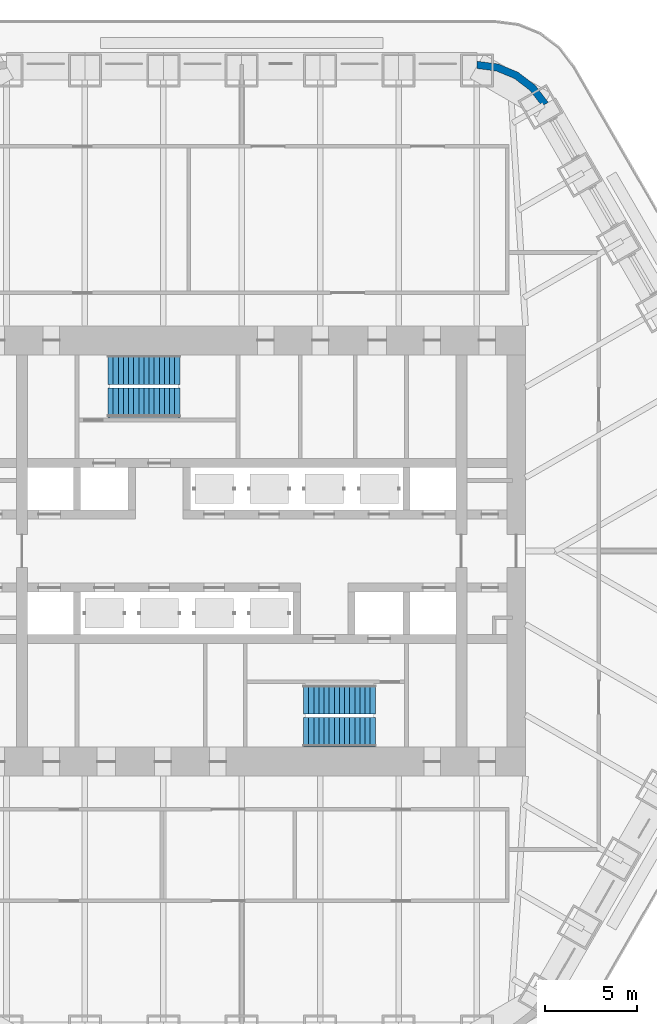
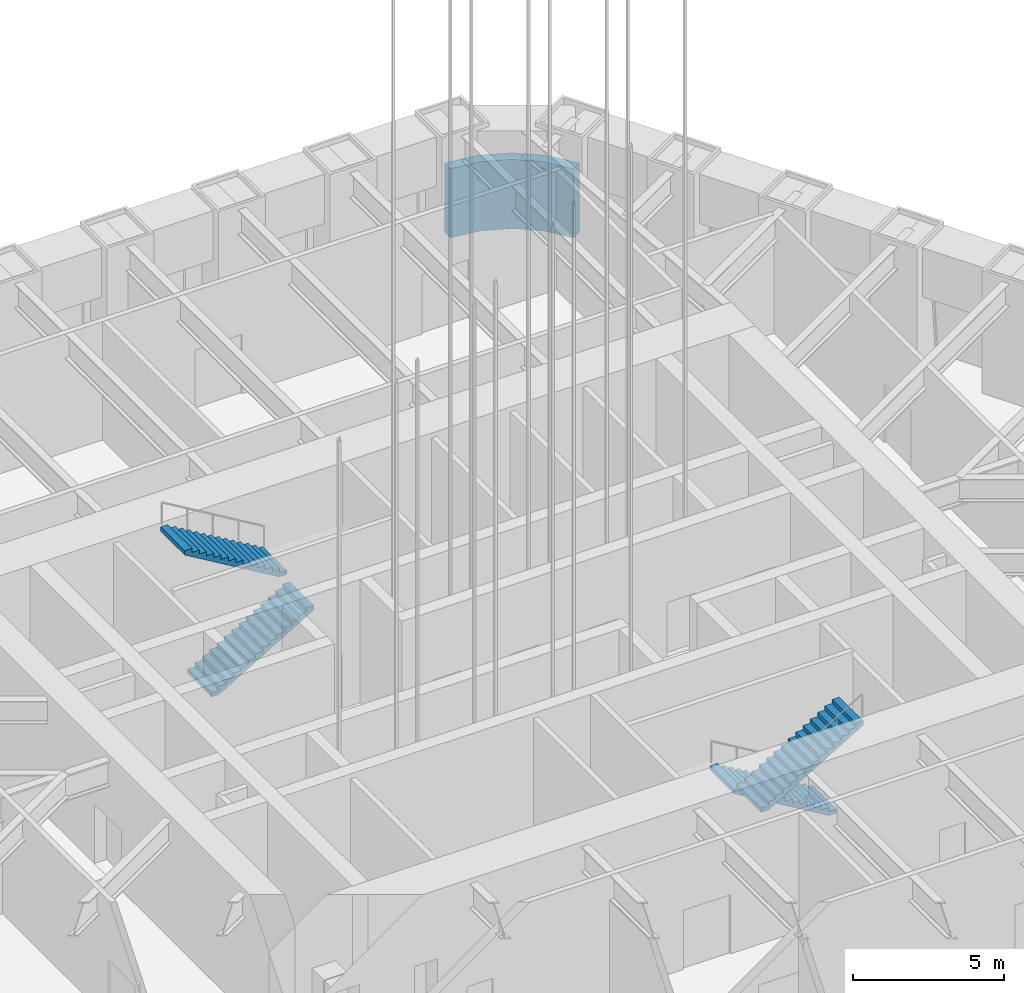
# One storey, part 11 of 14: 4 stair flights, 1 wall, 2 elements without a shape of their own.
"""IFC4 building model written with IfcOpenShell, lengths in metres."""

from ifc_helpers import new_model, si_unit, direction, frame, origin, place, context, subcontext, project, spatial, polyline, outline, extrude, material, layer, layer_set, type_object, element, aggregate, save


model = new_model("IFC4")

# Units and contexts
model_context = context("Model", 3, precision=1e-05, world=origin(), true_north=direction((0.0, 1.0)))
body_context = subcontext(model_context, "Body", "Model", "MODEL_VIEW")
ifc_project = project(units=[si_unit("LENGTHUNIT", "METRE"), si_unit("AREAUNIT", "SQUARE_METRE"), si_unit("VOLUMEUNIT", "CUBIC_METRE"), si_unit("PLANEANGLEUNIT", "RADIAN"), si_unit("MASSUNIT", "GRAM", prefix="KILO")], contexts=[model_context])

# Site, building, storey
site_placement = place(None, origin())
site = spatial("IfcSite", under=ifc_project, at=site_placement, CompositionType="ELEMENT")
building_placement = place(site_placement, origin())
building = spatial("IfcBuilding", under=site, at=building_placement, Name="Tarfa Lantern Tower", CompositionType="ELEMENT")
storey_placement = place(building_placement, frame((0.0, 0.0, 306.5)))
storey = spatial("IfcBuildingStorey", under=building, at=storey_placement, Name="L69", CompositionType="ELEMENT", Elevation=306.5)

# Wall
ifc_material_1 = material(Name="Limestone cladding on blockwork", Category="masonry")
ifc_layer = layer(ifc_material_1, 0.39990234375)
ifc_layer_set = layer_set([ifc_layer], Name="EW2 CURVED STONE CORNER 400")
wall_type = type_object("IfcWallType", Name="EW2 CURVED STONE CORNER 400", PredefinedType="SOLIDWALL", material=ifc_layer_set)
wall_placement = place(storey_placement, origin())
element("IfcWall", 1, at=wall_placement, inside=storey, type_object=wall_type, Name="Stone corner NE-N", PredefinedType="SOLIDWALL", context=body_context, shape_type="SweptSolid", body=[
    extrude(outline(polyline([(16.7431640625, 24.5), (16.028076171875, 25.431884765625), (15.095947265625, 26.147216796875), (14.0107421875, 26.5966796875), (12.845947265625, 26.75), (12.845947265625, 26.35009765625), (13.9072265625, 26.210205078125), (14.89599609375, 25.80078125), (15.7451171875, 25.149169921875), (16.396728515625, 24.300048828125), (16.7431640625, 24.5)])), origin(), (0.0, 0.0, 1.0), 2.800048828125),
])

# Stair, stair flights
ifc_material_2 = material(Name="Concrete C40/50", Category="concrete")
stair_type = type_object("IfcStairType", Name="ST-T9 HALF-TURN STAIR 5000 RISE", PredefinedType="HALF_TURN_STAIR", material=ifc_material_2)
stair_1_placement = place(storey_placement, origin())
stair_1 = element("IfcStair", 2, at=stair_1_placement, inside=storey, type_object=stair_type, Name="Stair ST1", PredefinedType="HALF_TURN_STAIR")
stair_flight_type = type_object("IfcStairFlightType", Name="SF1 STAIR FLIGHT", PredefinedType="STRAIGHT", material=ifc_material_2)
stair_flight_1_placement = place(storey_placement, frame((-7.300048828125, 8.10009765625, 0.0), z_axis=(0.0, 0.0, 1.0), x_axis=(1.0, 0.0, 0.0)))
stair_flight_1 = element("IfcStairFlight", 3, at=stair_flight_1_placement, type_object=stair_flight_type, Name="ST1 flight 1", NumberOfRisers=15, NumberOfTreads=14, PredefinedType="STRAIGHT", RiserHeight=0.166666667, TreadLength=0.28, context=body_context, shape_type="SweptSolid", body=[
    extrude(outline(polyline([(0.0, 0.0), (0.0, 0.166748046875), (0.280029296875, 0.166748046875), (0.280029296875, 0.333251953125), (0.56005859375, 0.333251953125), (0.56005859375, 0.5), (0.840087890625, 0.5), (0.840087890625, 0.666748046875), (1.1201171875, 0.666748046875), (1.1201171875, 0.833251953125), (1.39990234375, 0.833251953125), (1.39990234375, 1.0), (1.679931640625, 1.0), (1.679931640625, 1.166748046875), (1.9599609375, 1.166748046875), (1.9599609375, 1.333251953125), (2.239990234375, 1.333251953125), (2.239990234375, 1.5), (2.52001953125, 1.5), (2.52001953125, 1.666748046875), (2.800048828125, 1.666748046875), (2.800048828125, 1.833251953125), (3.080078125, 1.833251953125), (3.080078125, 2.0), (3.360107421875, 2.0), (3.360107421875, 2.166748046875), (3.639892578125, 2.166748046875), (3.639892578125, 2.333251953125), (3.919921875, 2.333251953125), (3.919921875, 2.5), (3.919921875, 2.158935546875), (0.29296875, 0.0), (0.0, 0.0)])), frame((0.0, 0.800048828125, 0.0), z_axis=(0.0, -1.0, 0.0), x_axis=(1.0, 0.0, 0.0)), (0.0, 0.0, 1.0), 1.60009765625),
])
stair_flight_2_placement = place(storey_placement, frame((-3.3798828125, 9.89990234375, 2.5), z_axis=(0.0, 0.0, 1.0), x_axis=(-1.0, 0.0, 0.0)))
stair_flight_2 = element("IfcStairFlight", 4, at=stair_flight_2_placement, type_object=stair_flight_type, Name="ST1 flight 2", NumberOfRisers=15, NumberOfTreads=14, PredefinedType="STRAIGHT", RiserHeight=0.166666667, TreadLength=0.28, context=body_context, shape_type="SweptSolid", body=[
    extrude(outline(polyline([(0.0, 0.0), (0.0, 0.166748046875), (0.280029296875, 0.166748046875), (0.280029296875, 0.333251953125), (0.56005859375, 0.333251953125), (0.56005859375, 0.5), (0.840087890625, 0.5), (0.840087890625, 0.666748046875), (1.1201171875, 0.666748046875), (1.1201171875, 0.833251953125), (1.39990234375, 0.833251953125), (1.39990234375, 1.0), (1.679931640625, 1.0), (1.679931640625, 1.166748046875), (1.9599609375, 1.166748046875), (1.9599609375, 1.333251953125), (2.239990234375, 1.333251953125), (2.239990234375, 1.5), (2.52001953125, 1.5), (2.52001953125, 1.666748046875), (2.800048828125, 1.666748046875), (2.800048828125, 1.833251953125), (3.080078125, 1.833251953125), (3.080078125, 2.0), (3.360107421875, 2.0), (3.360107421875, 2.166748046875), (3.639892578125, 2.166748046875), (3.639892578125, 2.333251953125), (3.919921875, 2.333251953125), (3.919921875, 2.5), (3.919921875, 2.158935546875), (0.29296875, 0.0), (0.0, 0.0)])), frame((0.0, 0.800048828125, 0.0), z_axis=(0.0, -1.0, 0.0), x_axis=(1.0, 0.0, 0.0)), (0.0, 0.0, 1.0), 1.60009765625),
])
aggregate(stair_1, [stair_flight_1, stair_flight_2])

stair_2_placement = place(storey_placement, origin())
stair_2 = element("IfcStair", 5, at=stair_2_placement, inside=storey, type_object=stair_type, Name="Stair ST2", PredefinedType="HALF_TURN_STAIR")
stair_flight_3_placement = place(storey_placement, frame((7.300048828125, -8.10009765625, 0.0), z_axis=(0.0, 0.0, 1.0), x_axis=(-1.0, 0.0, 0.0)))
stair_flight_3 = element("IfcStairFlight", 6, at=stair_flight_3_placement, type_object=stair_flight_type, Name="ST2 flight 1", NumberOfRisers=15, NumberOfTreads=14, PredefinedType="STRAIGHT", RiserHeight=0.166666667, TreadLength=0.28, context=body_context, shape_type="SweptSolid", body=[
    extrude(outline(polyline([(0.0, 0.0), (0.0, 0.166748046875), (0.280029296875, 0.166748046875), (0.280029296875, 0.333251953125), (0.56005859375, 0.333251953125), (0.56005859375, 0.5), (0.840087890625, 0.5), (0.840087890625, 0.666748046875), (1.1201171875, 0.666748046875), (1.1201171875, 0.833251953125), (1.39990234375, 0.833251953125), (1.39990234375, 1.0), (1.679931640625, 1.0), (1.679931640625, 1.166748046875), (1.9599609375, 1.166748046875), (1.9599609375, 1.333251953125), (2.239990234375, 1.333251953125), (2.239990234375, 1.5), (2.52001953125, 1.5), (2.52001953125, 1.666748046875), (2.800048828125, 1.666748046875), (2.800048828125, 1.833251953125), (3.080078125, 1.833251953125), (3.080078125, 2.0), (3.360107421875, 2.0), (3.360107421875, 2.166748046875), (3.639892578125, 2.166748046875), (3.639892578125, 2.333251953125), (3.919921875, 2.333251953125), (3.919921875, 2.5), (3.919921875, 2.158935546875), (0.29296875, 0.0), (0.0, 0.0)])), frame((0.0, 0.800048828125, 0.0), z_axis=(0.0, -1.0, 0.0), x_axis=(1.0, 0.0, 0.0)), (0.0, 0.0, 1.0), 1.60009765625),
])
stair_flight_4_placement = place(storey_placement, frame((3.3798828125, -9.89990234375, 2.5), z_axis=(0.0, 0.0, 1.0), x_axis=(1.0, 0.0, 0.0)))
stair_flight_4 = element("IfcStairFlight", 7, at=stair_flight_4_placement, type_object=stair_flight_type, Name="ST2 flight 2", NumberOfRisers=15, NumberOfTreads=14, PredefinedType="STRAIGHT", RiserHeight=0.166666667, TreadLength=0.28, context=body_context, shape_type="SweptSolid", body=[
    extrude(outline(polyline([(0.0, 0.0), (0.0, 0.166748046875), (0.280029296875, 0.166748046875), (0.280029296875, 0.333251953125), (0.56005859375, 0.333251953125), (0.56005859375, 0.5), (0.840087890625, 0.5), (0.840087890625, 0.666748046875), (1.1201171875, 0.666748046875), (1.1201171875, 0.833251953125), (1.39990234375, 0.833251953125), (1.39990234375, 1.0), (1.679931640625, 1.0), (1.679931640625, 1.166748046875), (1.9599609375, 1.166748046875), (1.9599609375, 1.333251953125), (2.239990234375, 1.333251953125), (2.239990234375, 1.5), (2.52001953125, 1.5), (2.52001953125, 1.666748046875), (2.800048828125, 1.666748046875), (2.800048828125, 1.833251953125), (3.080078125, 1.833251953125), (3.080078125, 2.0), (3.360107421875, 2.0), (3.360107421875, 2.166748046875), (3.639892578125, 2.166748046875), (3.639892578125, 2.333251953125), (3.919921875, 2.333251953125), (3.919921875, 2.5), (3.919921875, 2.158935546875), (0.29296875, 0.0), (0.0, 0.0)])), frame((0.0, 0.800048828125, 0.0), z_axis=(0.0, -1.0, 0.0), x_axis=(1.0, 0.0, 0.0)), (0.0, 0.0, 1.0), 1.60009765625),
])
aggregate(stair_2, [stair_flight_3, stair_flight_4])

save(model, "model.ifc")
